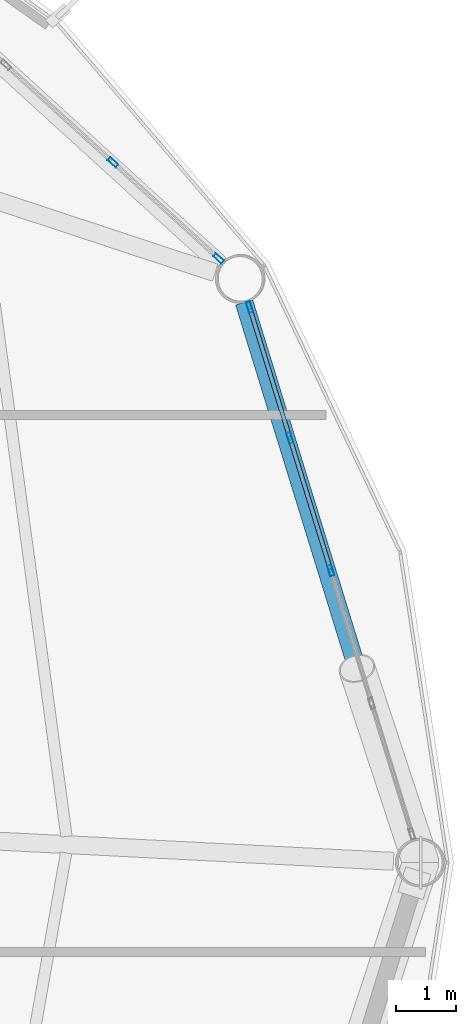
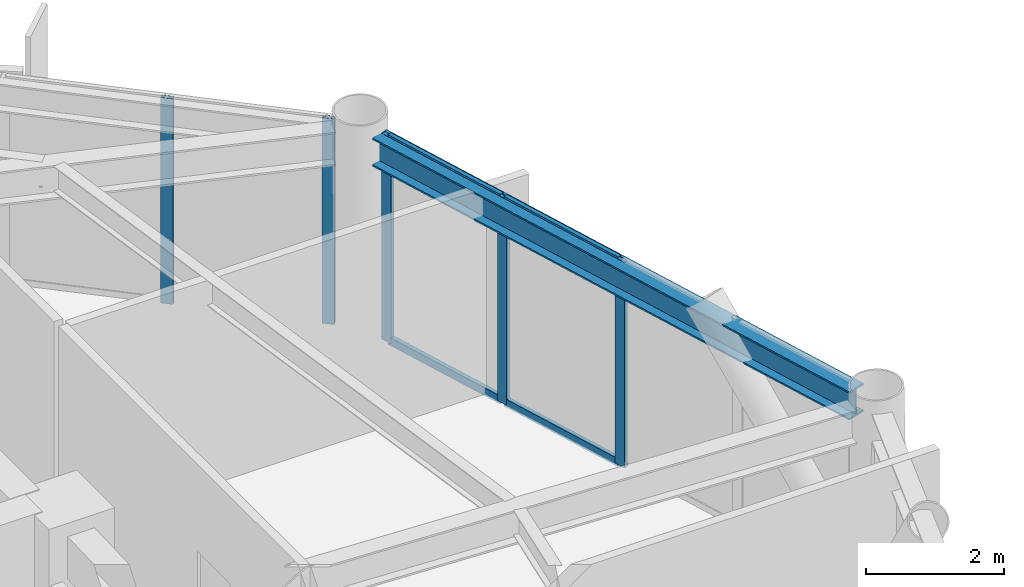
# One storey, part 14 of 25: 9 members, 1 beam, 2 elements without a shape of their own.
"""IFC4 building model written with IfcOpenShell, lengths in metres."""

from ifc_helpers import new_model, si_unit, direction, frame, origin, origin_2d, place, context, subcontext, project, spatial, hollow_rectangle, i_section, extrude, material, layer, layer_set, material_profile, profile_set, type_object, element, aggregate, save


model = new_model("IFC4")

# Units and contexts
model_context = context("Model", 3, precision=1e-05, world=origin(), true_north=direction((0.0, 1.0)))
body_context = subcontext(model_context, "Body", "Model", "MODEL_VIEW")
ifc_project = project(units=[si_unit("LENGTHUNIT", "METRE"), si_unit("AREAUNIT", "SQUARE_METRE"), si_unit("VOLUMEUNIT", "CUBIC_METRE"), si_unit("PLANEANGLEUNIT", "RADIAN"), si_unit("MASSUNIT", "GRAM", prefix="KILO")], contexts=[model_context])

# Site, building, storey
site_placement = place(None, origin())
site = spatial("IfcSite", under=ifc_project, at=site_placement, CompositionType="ELEMENT")
building_placement = place(site_placement, origin())
building = spatial("IfcBuilding", under=site, at=building_placement, Name="Varnakorn Sky Granary", CompositionType="ELEMENT")
storey_placement = place(building_placement, frame((0.0, 0.0, 99.300048828125)))
storey = spatial("IfcBuildingStorey", under=building, at=storey_placement, Name="L24", CompositionType="ELEMENT", Elevation=99.300048828125)

# Beam
ifc_material_1 = material(Name="Steel S355JR", Category="steel")
ifc_material_profile_1 = material_profile(ifc_material_1, i_section(OverallWidth=0.300048828125, OverallDepth=0.5, WebThickness=0.014404296875, FlangeThickness=0.028076171875, at=origin_2d()), Name="HE 500 B")
ifc_profile_set_1 = profile_set([ifc_material_profile_1], Name="Steel S355JR")
beam_type = type_object("IfcBeamType", Name="BM-SPD-Z2", PredefinedType="SPANDREL", material=ifc_profile_set_1)
beam_placement = place(storey_placement, frame((19.9677734375, 0.3740234375, 3.389892578125), z_axis=(-0.294513225016, 0.955647403748, 0.0), x_axis=(-0.955647403748, -0.294513225016, 0.0)))
element("IfcBeam", 1, at=beam_placement, inside=storey, type_object=beam_type, Name="Perimeter Spandrel Ring Beam RB01 L24", PredefinedType="SPANDREL", context=body_context, shape_type="SweptSolid", body=[
    extrude(i_section(OverallWidth=0.300048828125, OverallDepth=0.5, WebThickness=0.014404296875, FlangeThickness=0.028076171875, at=origin_2d()), origin(), (0.0, 0.0, 1.0), 9.432861328125),
])

# Curtain wall, members
ifc_material_2 = material(Name="Anodised Bronze Aluminium Alloy 6063-T6", Category="aluminium")
ifc_layer = layer(ifc_material_2, 0.18994140625, Name="Anodised Bronze Aluminium Alloy 6063-T6")
ifc_layer_set = layer_set([ifc_layer], Name="Anodised Bronze Aluminium Alloy 6063-T6")
curtain_wall_type = type_object("IfcCurtainWallType", Name="CW-FRM-1", PredefinedType="USERDEFINED", material=ifc_layer_set)
curtain_wall_1_placement = place(storey_placement, origin())
curtain_wall_1 = element("IfcCurtainWall", 2, at=curtain_wall_1_placement, inside=storey, type_object=curtain_wall_type, Name="Unitised Curtain Wall CW3 CW-L24-B01", ObjectType="CURTAIN WALL", PredefinedType="USERDEFINED")
ifc_material_profile_2 = material_profile(ifc_material_2, hollow_rectangle(XDim=0.070068359375, YDim=0.18505859375, WallThickness=0.00390625, at=origin_2d()), Name="ALU MULL 70x185")
ifc_profile_set_2 = profile_set([ifc_material_profile_2], Name="Anodised Bronze Aluminium Alloy 6063-T6")
member_type_1 = type_object("IfcMemberType", Name="CW-FRM-1-MULL", PredefinedType="MULLION", material=ifc_profile_set_2)
member_1_placement = place(storey_placement, frame((17.2802734375, 9.306640625, 0.0), z_axis=(0.0, 0.0, 1.0), x_axis=(0.955604848445, 0.294651274609, 0.0)))
member_1 = element("IfcMember", 3, at=member_1_placement, type_object=member_type_1, Name="CW3 mullion 1", PredefinedType="MULLION", context=body_context, shape_type="SweptSolid", body=[
    extrude(hollow_rectangle(XDim=0.070068359375, YDim=0.18505859375, WallThickness=0.00390625, at=origin_2d()), origin(), (0.0, 0.0, 1.0), 3.639892578125),
])
member_2_placement = place(storey_placement, frame((17.95556640625, 7.11669921875, 0.0), z_axis=(0.0, 0.0, 1.0), x_axis=(0.955604848445, 0.294651274609, 0.0)))
member_2 = element("IfcMember", 4, at=member_2_placement, type_object=member_type_1, Name="CW3 mullion 2", PredefinedType="MULLION", context=body_context, shape_type="SweptSolid", body=[
    extrude(hollow_rectangle(XDim=0.070068359375, YDim=0.18505859375, WallThickness=0.00390625, at=origin_2d()), origin(), (0.0, 0.0, 1.0), 3.639892578125),
])
member_3_placement = place(storey_placement, frame((18.641357421875, 4.89306640625, 0.0), z_axis=(0.0, 0.0, 1.0), x_axis=(0.955604848445, 0.294651274609, 0.0)))
member_3 = element("IfcMember", 5, at=member_3_placement, type_object=member_type_1, Name="CW3 mullion 3", PredefinedType="MULLION", context=body_context, shape_type="SweptSolid", body=[
    extrude(hollow_rectangle(XDim=0.070068359375, YDim=0.18505859375, WallThickness=0.00390625, at=origin_2d()), origin(), (0.0, 0.0, 1.0), 3.639892578125),
])

curtain_wall_2_placement = place(storey_placement, origin())
curtain_wall_2 = element("IfcCurtainWall", 6, at=curtain_wall_2_placement, inside=storey, type_object=curtain_wall_type, Name="Unitised Curtain Wall CW3 CW-L24-B02", ObjectType="CURTAIN WALL", PredefinedType="USERDEFINED")
member_4_placement = place(storey_placement, frame((14.9912109375, 11.73388671875, 0.0), z_axis=(0.0, 0.0, 1.0), x_axis=(0.672918732545, 0.739716418224, 0.0)))
member_4 = element("IfcMember", 7, at=member_4_placement, type_object=member_type_1, Name="CW3 mullion 4", PredefinedType="MULLION", context=body_context, shape_type="SweptSolid", body=[
    extrude(hollow_rectangle(XDim=0.070068359375, YDim=0.18505859375, WallThickness=0.00390625, at=origin_2d()), origin(), (0.0, 0.0, 1.0), 3.639892578125),
])
member_5_placement = place(storey_placement, frame((16.761474609375, 10.12353515625, 0.0), z_axis=(0.0, 0.0, 1.0), x_axis=(0.672918732545, 0.739716418224, 0.0)))
member_5 = element("IfcMember", 8, at=member_5_placement, type_object=member_type_1, Name="CW3 mullion 5", PredefinedType="MULLION", context=body_context, shape_type="SweptSolid", body=[
    extrude(hollow_rectangle(XDim=0.070068359375, YDim=0.18505859375, WallThickness=0.00390625, at=origin_2d()), origin(), (0.0, 0.0, 1.0), 3.639892578125),
])
aggregate(curtain_wall_2, [member_4, member_5])

# Member
ifc_material_profile_3 = material_profile(ifc_material_2, hollow_rectangle(XDim=0.070068359375, YDim=0.139892578125, WallThickness=0.00341796875, at=origin_2d()), Name="ALU TRAN 70x140")
ifc_profile_set_3 = profile_set([ifc_material_profile_3], Name="Anodised Bronze Aluminium Alloy 6063-T6")
member_type_2 = type_object("IfcMemberType", Name="CW-FRM-1-TRAN", PredefinedType="USERDEFINED", material=ifc_profile_set_3)
member_6_placement = place(storey_placement, frame((17.29052734375, 9.273193359375, 0.034912109375), z_axis=(0.294718975401, -0.955583970951, 0.0), x_axis=(0.955583970951, 0.294718975401, 0.0)))
member_6 = element("IfcMember", 9, at=member_6_placement, type_object=member_type_2, Name="CW3 transom 1.1", ObjectType="TRANSOM", PredefinedType="USERDEFINED", context=body_context, shape_type="SweptSolid", body=[
    extrude(hollow_rectangle(XDim=0.070068359375, YDim=0.139892578125, WallThickness=0.00341796875, at=origin_2d()), origin(), (0.0, 0.0, 1.0), 2.2216796875),
])

member_7_placement = place(storey_placement, frame((17.29052734375, 9.273193359375, 3.60498046875), z_axis=(0.294718975401, -0.955583970951, 0.0), x_axis=(0.955583970951, 0.294718975401, 0.0)))
member_7 = element("IfcMember", 10, at=member_7_placement, type_object=member_type_2, Name="CW3 transom 1.2", ObjectType="TRANSOM", PredefinedType="USERDEFINED", context=body_context, shape_type="SweptSolid", body=[
    extrude(hollow_rectangle(XDim=0.070068359375, YDim=0.139892578125, WallThickness=0.00341796875, at=origin_2d()), origin(), (0.0, 0.0, 1.0), 2.2216796875),
])

member_8_placement = place(storey_placement, frame((17.9658203125, 7.083251953125, 0.034912109375), z_axis=(0.294663497891, -0.955601079431, 0.0), x_axis=(0.955601079431, 0.294663497891, 0.0)))
member_8 = element("IfcMember", 11, at=member_8_placement, type_object=member_type_2, Name="CW3 transom 2.1", ObjectType="TRANSOM", PredefinedType="USERDEFINED", context=body_context, shape_type="SweptSolid", body=[
    extrude(hollow_rectangle(XDim=0.070068359375, YDim=0.139892578125, WallThickness=0.00341796875, at=origin_2d()), origin(), (0.0, 0.0, 1.0), 2.2568359375),
])

member_9_placement = place(storey_placement, frame((17.9658203125, 7.083251953125, 3.60498046875), z_axis=(0.294663497891, -0.955601079431, 0.0), x_axis=(0.955601079431, 0.294663497891, 0.0)))
member_9 = element("IfcMember", 12, at=member_9_placement, type_object=member_type_2, Name="CW3 transom 2.2", ObjectType="TRANSOM", PredefinedType="USERDEFINED", context=body_context, shape_type="SweptSolid", body=[
    extrude(hollow_rectangle(XDim=0.070068359375, YDim=0.139892578125, WallThickness=0.00341796875, at=origin_2d()), origin(), (0.0, 0.0, 1.0), 2.2568359375),
])

aggregate(curtain_wall_1, [member_1, member_2, member_3, member_6, member_7, member_8, member_9])

save(model, "model.ifc")
